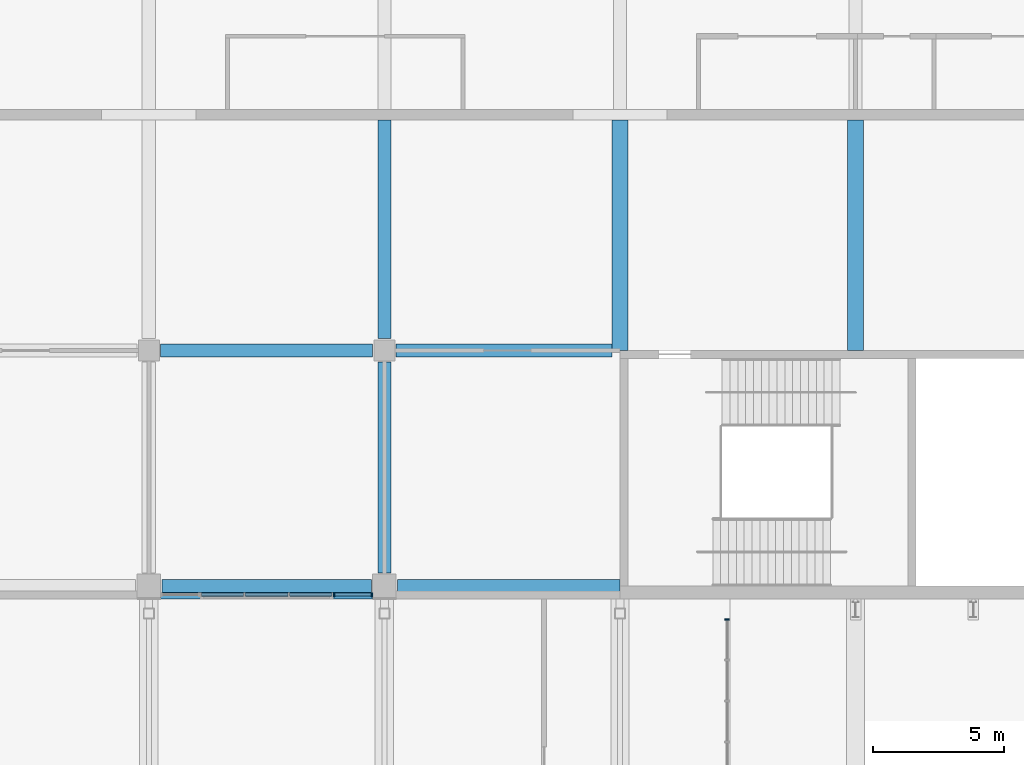
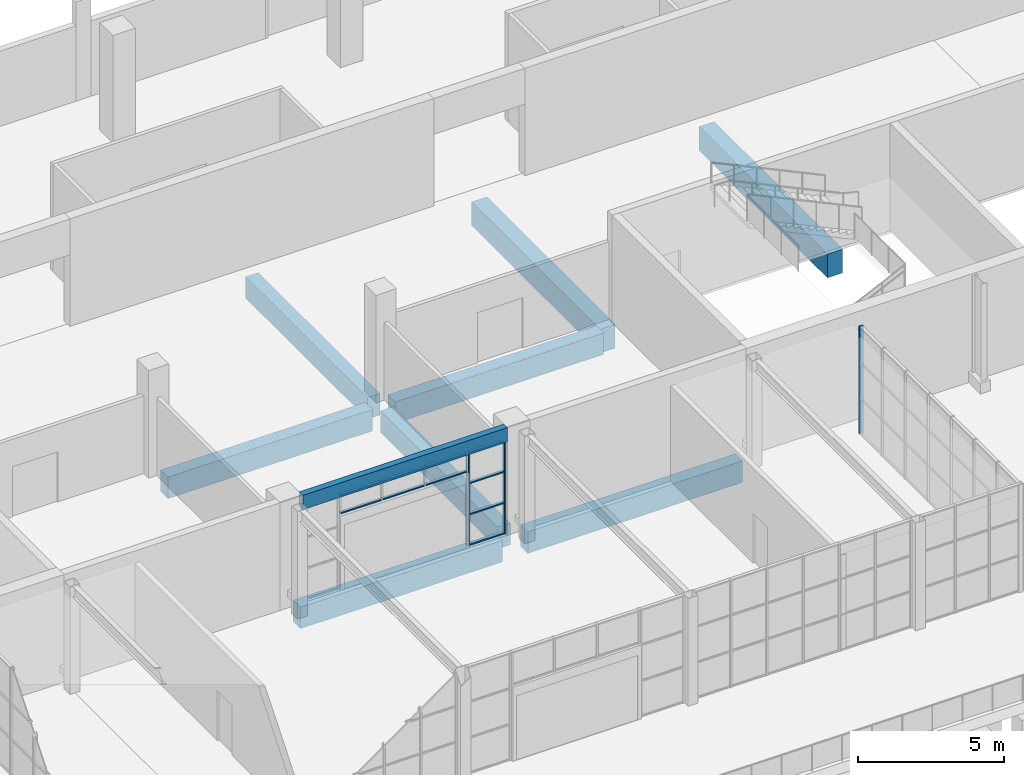
# One storey, part 45 of 168: 13 members, 9 beams, 3 elements without a shape of their own.
"""IFC4 building model written with IfcOpenShell, lengths in metres."""

import ifcopenshell
import ifcopenshell.guid

model = None  # the IFC model being written
_history = None  # IfcOwnerHistory: only IFC2X3 demands one
_inside = {}  # id of a spatial element -> (the spatial element, [elements in it])
_under = {}  # id of a project, library or spatial element -> (it, [spatial elements below it])
_declared = {}  # id of a project -> (the project, [libraries it declares])
_typed = {}  # id of a type object -> (the type object, [elements of that type])
_made_of = {}  # id of a material, layer set ... -> (it, [elements and type objects made of it])


def new_model(schema):
    """Start an empty IFC model of exactly this schema.

    Asked for "IFC4X3", IfcOpenShell would pick the latest addendum, in which some entities
    have other attributes; the version numbers below select the first issue.
    IFC2X3 requires an IfcOwnerHistory on every rooted entity: one is made here for all.
    """
    global model, _history
    if schema == "IFC4X3":
        model = ifcopenshell.file(schema_version=(4, 3, 0, 0))
    else:
        model = ifcopenshell.file(schema=schema)
    _inside.clear()
    _under.clear()
    _declared.clear()
    _typed.clear()
    _made_of.clear()
    _history = None
    if model.schema == "IFC2X3":
        org = make("IfcOrganization", Name="unknown")
        user = make(
            "IfcPersonAndOrganization",
            ThePerson=make("IfcPerson", FamilyName="unknown"),
            TheOrganization=org,
        )
        app = make(
            "IfcApplication",
            ApplicationDeveloper=org,
            Version="unknown",
            ApplicationFullName="unknown",
            ApplicationIdentifier="unknown",
        )
        _history = make(
            "IfcOwnerHistory",
            OwningUser=user,
            OwningApplication=app,
            ChangeAction="ADDED",
            CreationDate=0,
        )
    return model


def make(cls, **values):
    """One entity of the class cls with the attributes given. An attribute that is None is left unset."""
    return model.create_entity(
        cls, **{name: value for name, value in values.items() if value is not None}
    )


def rooted(cls, **values):
    """An entity with a GlobalId (a new one), such as an element, a storey or a relation."""
    return make(cls, GlobalId=ifcopenshell.guid.new(), OwnerHistory=_history, **values)


def si_unit(unit_type, name, prefix=None):
    """IfcSIUnit, for example si_unit("LENGTHUNIT", "METRE", prefix="MILLI")."""
    return make("IfcSIUnit", UnitType=unit_type, Prefix=prefix, Name=name)


def assignment(units):
    """IfcUnitAssignment: the units of a project."""
    return None if units is None else make("IfcUnitAssignment", Units=units)


def point(xyz):
    """IfcCartesianPoint."""
    return None if xyz is None else make("IfcCartesianPoint", Coordinates=xyz)


def direction(xyz):
    """IfcDirection."""
    return None if xyz is None else make("IfcDirection", DirectionRatios=xyz)


def frame(location, z_axis=None, x_axis=None):
    """IfcAxis2Placement3D, a coordinate frame: its origin and axes. An axis left out is left unset."""
    return make(
        "IfcAxis2Placement3D",
        Location=point(location),
        Axis=direction(z_axis),
        RefDirection=direction(x_axis),
    )


def frame_2d(location, x_axis=None):
    """IfcAxis2Placement2D, a coordinate frame in the plane: its origin and x axis."""
    return make(
        "IfcAxis2Placement2D", Location=point(location), RefDirection=direction(x_axis)
    )


def origin():
    """The frame at (0, 0, 0) with its axes left unset."""
    return frame((0.0, 0.0, 0.0))


def origin_2d():
    """The frame at (0, 0) in the plane with its x axis left unset."""
    return frame_2d((0.0, 0.0))


def place(relative_to, where):
    """IfcLocalPlacement: puts the frame where relative to a parent placement (None: the world)."""
    return make(
        "IfcLocalPlacement", PlacementRelTo=relative_to, RelativePlacement=where
    )


def context(
    kind, dimensions, precision=None, world=None, true_north=None, identifier=None
):
    """IfcGeometricRepresentationContext, for example the 3D "Model" context."""
    return make(
        "IfcGeometricRepresentationContext",
        ContextIdentifier=identifier,
        ContextType=kind,
        CoordinateSpaceDimension=dimensions,
        Precision=precision,
        WorldCoordinateSystem=world,
        TrueNorth=true_north,
    )


def subcontext(parent, identifier, kind, view, scale=None):
    """IfcGeometricRepresentationSubContext, for example "Body" below "Model"."""
    return make(
        "IfcGeometricRepresentationSubContext",
        ContextIdentifier=identifier,
        ContextType=kind,
        ParentContext=parent,
        TargetScale=scale,
        TargetView=view,
    )


def project(units=None, contexts=None):
    """IfcProject with its units and contexts."""
    return rooted(
        "IfcProject",
        Name="project",
        RepresentationContexts=contexts,
        UnitsInContext=assignment(units),
    )


def spatial(cls, under=None, at=None, **own):
    """A site, building, storey or space (cls), placed at a placement, below another one or the project."""
    s = rooted(cls, ObjectPlacement=at, **own)
    if under is not None:
        _under.setdefault(under.id(), (under, []))[1].append(s)
    return s


def profile(cls, at=None, kind="AREA", **sizes):
    """A parametric profile (cls). Its sizes go by their IFC names, for example OverallWidth=200.0."""
    return make(cls, ProfileType=kind, Position=at, **sizes)


def rectangle(**sizes):
    """IfcRectangleProfileDef."""
    return profile("IfcRectangleProfileDef", **sizes)


def extrude(swept, where, along, depth):
    """IfcExtrudedAreaSolid: the profile swept, set in the frame where, extruded along a direction by depth."""
    return make(
        "IfcExtrudedAreaSolid",
        SweptArea=swept,
        Position=where,
        ExtrudedDirection=direction(along),
        Depth=depth,
    )


def shape(context_of_items, identifier, shape_type, items):
    """IfcShapeRepresentation: the items that make up one representation, for example the "Body"."""
    return make(
        "IfcShapeRepresentation",
        ContextOfItems=context_of_items,
        RepresentationIdentifier=identifier,
        RepresentationType=shape_type,
        Items=items,
    )


def material(Name=None, Category=None):
    """IfcMaterial."""
    return make("IfcMaterial", Name=Name, Category=Category)


def material_profile(
    of_material, cross_section, Name=None, Category=None, Priority=None
):
    """IfcMaterialProfile: a cross section and its material."""
    return make(
        "IfcMaterialProfile",
        Name=Name,
        Material=of_material,
        Profile=cross_section,
        Priority=Priority,
        Category=Category,
    )


def profile_set(profiles, Name=None, composite=None):
    """IfcMaterialProfileSet."""
    return make(
        "IfcMaterialProfileSet",
        Name=Name,
        MaterialProfiles=profiles,
        CompositeProfile=composite,
    )


def made_of(thing, what):
    """Note that an element or type object is made of a material, layer set ...; save() writes the relation."""
    if what is not None:
        _made_of.setdefault(what.id(), (what, []))[1].append(thing)
    return thing


def type_object(cls, material=None, **own):
    """A type object (cls), such as IfcWallType, which elements share."""
    return made_of(rooted(cls, **own), material)


def element(
    cls,
    number,
    at=None,
    inside=None,
    cuts=None,
    type_object=None,
    material=None,
    context=None,
    identifier="Body",
    shape_type=None,
    held_by="IfcProductDefinitionShape",
    body=None,
    shapes=None,
    **own,
):
    """One element of the class cls, such as IfcWall. Its Tag is "e" and its number.

    at: its placement. inside: the storey or other place that contains it. cuts: it is an
    opening in that element (IfcRelVoidsElement). A single representation is given by context,
    identifier, shape_type and body (its items); several are given by shapes. held_by: the class
    of the entity that holds the representations. save() writes the other relations.
    """
    e = rooted(cls, Tag="e%d" % number, ObjectPlacement=at, **own)
    if body is not None:
        shapes = [shape(context, identifier, shape_type, body)]
    if shapes is not None:
        e.Representation = make(held_by, Representations=shapes)
    if inside is not None:
        _inside.setdefault(inside.id(), (inside, []))[1].append(e)
    if cuts is not None:
        rooted(
            "IfcRelVoidsElement", RelatingBuildingElement=cuts, RelatedOpeningElement=e
        )
    if type_object is not None:
        _typed.setdefault(type_object.id(), (type_object, []))[1].append(e)
    return made_of(e, material)


def aggregate(whole, parts):
    """IfcRelAggregates: a whole, such as a stair, and the parts it consists of."""
    return rooted("IfcRelAggregates", RelatingObject=whole, RelatedObjects=parts)


def save(model, path):
    """Write the relations noted so far, then the file.

    IfcRelAggregates (storeys below a building ...), IfcRelContainedInSpatialStructure (elements
    in a storey), IfcRelDefinesByType, IfcRelAssociatesMaterial and IfcRelDeclares: one each for
    every whole, place, type object, material and project.
    """
    for whole, parts in _under.values():
        aggregate(whole, parts)
    for where, things in _inside.values():
        rooted(
            "IfcRelContainedInSpatialStructure",
            RelatedElements=things,
            RelatingStructure=where,
        )
    for kind, things in _typed.values():
        rooted("IfcRelDefinesByType", RelatedObjects=things, RelatingType=kind)
    for what, things in _made_of.values():
        rooted("IfcRelAssociatesMaterial", RelatedObjects=things, RelatingMaterial=what)
    for by, libraries in _declared.values():
        rooted("IfcRelDeclares", RelatingContext=by, RelatedDefinitions=libraries)
    model.write(path)


model = new_model("IFC4")

# Units and contexts
model_context = context("Model", 3, precision=1e-05, world=origin(), true_north=direction((0.0, 1.0)))
body_context = subcontext(model_context, "Body", "Model", "MODEL_VIEW")
ifc_project = project(units=[si_unit("LENGTHUNIT", "METRE"), si_unit("AREAUNIT", "SQUARE_METRE"), si_unit("VOLUMEUNIT", "CUBIC_METRE"), si_unit("PLANEANGLEUNIT", "RADIAN"), si_unit("MASSUNIT", "GRAM", prefix="KILO")], contexts=[model_context])

# Site, building, storey
site_placement = place(None, origin())
site = spatial("IfcSite", under=ifc_project, at=site_placement, CompositionType="ELEMENT")
building_placement = place(site_placement, origin())
building = spatial("IfcBuilding", under=site, at=building_placement, Name="Silverbay Arena", CompositionType="ELEMENT")
storey_placement = place(building_placement, frame((0.0, 0.0, 7.0)))
storey = spatial("IfcBuildingStorey", under=building, at=storey_placement, Name="L01", CompositionType="ELEMENT", Elevation=7.0)

# Curtain wall, members
ifc_material_1 = material(Name="Aluminium framed curtain wall", Category="aluminium")
curtain_wall_type_1 = type_object("IfcCurtainWallType", Name="Curtain wall 1500 x 3900", PredefinedType="NOTDEFINED", material=ifc_material_1)
curtain_wall_1_placement = place(storey_placement, origin())
curtain_wall_1 = element("IfcCurtainWall", 1, at=curtain_wall_1_placement, inside=storey, type_object=curtain_wall_type_1, Name="South curtain wall L01 bay 12", PredefinedType="NOTDEFINED")
ifc_material_2 = material(Name="Aluminium", Category="aluminium")
ifc_material_profile_1 = material_profile(ifc_material_2, rectangle(XDim=0.159912109375, YDim=0.06005859375, at=origin_2d()), Name="Mullion 60 x 160")
ifc_profile_set_1 = profile_set([ifc_material_profile_1], Name="Aluminium")
member_type_1 = type_object("IfcMemberType", Name="Mullion 60 x 160", PredefinedType="MULLION", material=ifc_profile_set_1)
member_1_placement = place(storey_placement, frame((133.080078125, 17.669921875, 0.0), z_axis=(0.0, 0.0, 1.0), x_axis=(0.0, 1.0, 0.0)))
member_1 = element("IfcMember", 2, at=member_1_placement, type_object=member_type_1, Name="CW4 mullion 1", PredefinedType="MULLION", context=body_context, shape_type="SweptSolid", body=[
    extrude(rectangle(XDim=0.159912109375, YDim=0.06005859375, at=origin_2d()), origin(), (0.0, 0.0, 1.0), 3.89990234375),
])
member_2_placement = place(storey_placement, frame((134.52001953125, 17.669921875, 0.0), z_axis=(0.0, 0.0, 1.0), x_axis=(0.0, 1.0, 0.0)))
member_2 = element("IfcMember", 3, at=member_2_placement, type_object=member_type_1, Name="CW4 mullion 2", PredefinedType="MULLION", context=body_context, shape_type="SweptSolid", body=[
    extrude(rectangle(XDim=0.159912109375, YDim=0.06005859375, at=origin_2d()), origin(), (0.0, 0.0, 1.0), 3.89990234375),
])

# Curtain wall, member
ifc_material_3 = material(Name="Aluminium framed curtain wall", Category="aluminium")
curtain_wall_type_2 = type_object("IfcCurtainWallType", Name="Curtain wall 11000 x 4500", PredefinedType="NOTDEFINED", material=ifc_material_3)
curtain_wall_2_placement = place(storey_placement, origin())
curtain_wall_2 = element("IfcCurtainWall", 4, at=curtain_wall_2_placement, inside=storey, type_object=curtain_wall_type_2, Name="South entrance hall S1 glazing SB", PredefinedType="NOTDEFINED")
member_3_placement = place(storey_placement, frame((148.090087890625, 16.719970703125, 0.0), z_axis=(0.0, 0.0, 1.0), x_axis=(-1.0, 0.0, 0.0)))
member_3 = element("IfcMember", 5, at=member_3_placement, type_object=member_type_1, Name="CW36 mullion 8", PredefinedType="MULLION", context=body_context, shape_type="SweptSolid", body=[
    extrude(rectangle(XDim=0.159912109375, YDim=0.06005859375, at=origin_2d()), origin(), (0.0, 0.0, 1.0), 4.5),
])
aggregate(curtain_wall_2, [member_3])

# Beams
ifc_material_4 = material(Name="Concrete Grade C45", Category="concrete")
ifc_material_profile_2 = material_profile(ifc_material_4, rectangle(XDim=0.5, YDim=0.89990234375, at=origin_2d()), Name="RC 500x900")
ifc_profile_set_2 = profile_set([ifc_material_profile_2], Name="Concrete Grade C45")
beam_type_1 = type_object("IfcBeamType", Name="RC beam 500x900", PredefinedType="BEAM", material=ifc_profile_set_2)
beam_1_placement = place(storey_placement, frame((126.5, 18.0, -0.800048828125), z_axis=(1.0, 0.0, 0.0), x_axis=(0.0, 1.0, 0.0)))
element("IfcBeam", 6, at=beam_1_placement, inside=storey, type_object=beam_type_1, Name="Floor beam L01 005", PredefinedType="BEAM", context=body_context, shape_type="SweptSolid", body=[
    extrude(rectangle(XDim=0.5, YDim=0.89990234375, at=origin_2d()), origin(), (0.0, 0.0, 1.0), 8.0),
])
beam_2_placement = place(storey_placement, frame((135.5, 18.0, -0.800048828125), z_axis=(1.0, 0.0, 0.0), x_axis=(0.0, 1.0, 0.0)))
element("IfcBeam", 7, at=beam_2_placement, inside=storey, type_object=beam_type_1, Name="Floor beam L01 006", PredefinedType="BEAM", context=body_context, shape_type="SweptSolid", body=[
    extrude(rectangle(XDim=0.5, YDim=0.89990234375, at=origin_2d()), origin(), (0.0, 0.0, 1.0), 8.5),
])
beam_3_placement = place(storey_placement, frame((126.449951171875, 27.0, -0.800048828125), z_axis=(1.0, 0.0, 0.0), x_axis=(0.0, 1.0, 0.0)))
element("IfcBeam", 8, at=beam_3_placement, inside=storey, type_object=beam_type_1, Name="Floor beam L01 014", PredefinedType="BEAM", context=body_context, shape_type="SweptSolid", body=[
    extrude(rectangle(XDim=0.5, YDim=0.89990234375, at=origin_2d()), origin(), (0.0, 0.0, 1.0), 8.10009765625),
])
beam_4_placement = place(storey_placement, frame((135.449951171875, 27.0, -0.800048828125), z_axis=(1.0, 0.0, 0.0), x_axis=(0.0, 1.0, 0.0)))
element("IfcBeam", 9, at=beam_4_placement, inside=storey, type_object=beam_type_1, Name="Floor beam L01 015", PredefinedType="BEAM", context=body_context, shape_type="SweptSolid", body=[
    extrude(rectangle(XDim=0.5, YDim=0.89990234375, at=origin_2d()), origin(), (0.0, 0.0, 1.0), 8.25),
])
beam_5_placement = place(storey_placement, frame((135.0, 18.5, -0.800048828125), z_axis=(0.0, 1.0, 0.0), x_axis=(-1.0, 0.0, 0.0)))
element("IfcBeam", 10, at=beam_5_placement, inside=storey, type_object=beam_type_1, Name="Floor beam L01 273", PredefinedType="BEAM", context=body_context, shape_type="SweptSolid", body=[
    extrude(rectangle(XDim=0.5, YDim=0.89990234375, at=origin_2d()), origin(), (0.0, 0.0, 1.0), 8.050048828125),
])
beam_6_placement = place(storey_placement, frame((135.0, 27.449951171875, -0.800048828125), z_axis=(0.0, 1.0, 0.0), x_axis=(-1.0, 0.0, 0.0)))
element("IfcBeam", 11, at=beam_6_placement, inside=storey, type_object=beam_type_1, Name="Floor beam L01 274", PredefinedType="BEAM", context=body_context, shape_type="SweptSolid", body=[
    extrude(rectangle(XDim=0.5, YDim=0.89990234375, at=origin_2d()), origin(), (0.0, 0.0, 1.0), 8.35009765625),
])
ifc_material_5 = material(Name="Concrete Grade C45", Category="concrete")
ifc_material_profile_3 = material_profile(ifc_material_5, rectangle(XDim=0.60009765625, YDim=1.0, at=origin_2d()), Name="RC 600x1000")
ifc_profile_set_3 = profile_set([ifc_material_profile_3], Name="Concrete Grade C45")
beam_type_2 = type_object("IfcBeamType", Name="RC beam 600x1000", PredefinedType="BEAM", material=ifc_profile_set_3)
for number, where, z_axis, x_axis, name in (
    (12, (144.0, 27.0, -0.85009765625), (0.0, 1.0, 0.0), (-1.0, 0.0, 0.0), "Floor beam L01 281"),
    (13, (153.0, 27.0, -0.85009765625), (0.0, 1.0, 0.0), (-1.0, 0.0, 0.0), "Floor beam L01 287"),
):
    element("IfcBeam", number, at=place(storey_placement, frame(where, z_axis=z_axis, x_axis=x_axis)), inside=storey, type_object=beam_type_2, Name=name, PredefinedType="BEAM", context=body_context, shape_type="SweptSolid", body=[
        extrude(rectangle(XDim=0.60009765625, YDim=1.0, at=origin_2d()), origin(), (0.0, 0.0, 1.0), 8.800048828125),
    ])
ifc_material_6 = material(Name="Concrete Grade C45", Category="concrete")
ifc_material_profile_4 = material_profile(ifc_material_6, rectangle(XDim=0.25, YDim=0.60009765625, at=origin_2d()), Name="RC 250x600")
ifc_profile_set_4 = profile_set([ifc_material_profile_4], Name="Concrete Grade C45")
beam_type_3 = type_object("IfcBeamType", Name="RC facade beam 250x600", PredefinedType="SPANDREL", material=ifc_profile_set_4)
beam_7_placement = place(storey_placement, frame((126.449951171875, 17.625, 4.199951171875), z_axis=(1.0, 0.0, 0.0), x_axis=(0.0, 1.0, 0.0)))
element("IfcBeam", 14, at=beam_7_placement, inside=storey, type_object=beam_type_3, Name="Facade beam L01 south", PredefinedType="SPANDREL", context=body_context, shape_type="SweptSolid", body=[
    extrude(rectangle(XDim=0.25, YDim=0.60009765625, at=origin_2d()), origin(), (0.0, 0.0, 1.0), 8.10009765625),
])

# Member
ifc_material_7 = material(Name="Aluminium", Category="aluminium")
ifc_material_profile_5 = material_profile(ifc_material_7, rectangle(XDim=0.1201171875, YDim=0.050048828125, at=origin_2d()), Name="Transom 50 x 120")
ifc_profile_set_5 = profile_set([ifc_material_profile_5], Name="Aluminium")
member_type_2 = type_object("IfcMemberType", Name="Transom 50 x 120", PredefinedType="USERDEFINED", material=ifc_profile_set_5)
member_4_placement = place(storey_placement, frame((133.110107421875, 17.669921875, 0.02490234375), z_axis=(1.0, 0.0, 0.0), x_axis=(0.0, 1.0, 0.0)))
member_4 = element("IfcMember", 15, at=member_4_placement, type_object=member_type_2, Name="CW4 transom 1.1", ObjectType="TRANSOM", PredefinedType="USERDEFINED", context=body_context, shape_type="SweptSolid", body=[
    extrude(rectangle(XDim=0.1201171875, YDim=0.050048828125, at=origin_2d()), origin(), (0.0, 0.0, 1.0), 1.3798828125),
])

member_5_placement = place(storey_placement, frame((133.110107421875, 17.669921875, 1.300048828125), z_axis=(1.0, 0.0, 0.0), x_axis=(0.0, 1.0, 0.0)))
member_5 = element("IfcMember", 16, at=member_5_placement, type_object=member_type_2, Name="CW4 transom 1.2", ObjectType="TRANSOM", PredefinedType="USERDEFINED", context=body_context, shape_type="SweptSolid", body=[
    extrude(rectangle(XDim=0.1201171875, YDim=0.050048828125, at=origin_2d()), origin(), (0.0, 0.0, 1.0), 1.3798828125),
])

member_6_placement = place(storey_placement, frame((133.110107421875, 17.669921875, 2.60009765625), z_axis=(1.0, 0.0, 0.0), x_axis=(0.0, 1.0, 0.0)))
member_6 = element("IfcMember", 17, at=member_6_placement, type_object=member_type_2, Name="CW4 transom 1.3", ObjectType="TRANSOM", PredefinedType="USERDEFINED", context=body_context, shape_type="SweptSolid", body=[
    extrude(rectangle(XDim=0.1201171875, YDim=0.050048828125, at=origin_2d()), origin(), (0.0, 0.0, 1.0), 1.3798828125),
])

member_7_placement = place(storey_placement, frame((133.110107421875, 17.669921875, 3.875), z_axis=(1.0, 0.0, 0.0), x_axis=(0.0, 1.0, 0.0)))
member_7 = element("IfcMember", 18, at=member_7_placement, type_object=member_type_2, Name="CW4 transom 1.4", ObjectType="TRANSOM", PredefinedType="USERDEFINED", context=body_context, shape_type="SweptSolid", body=[
    extrude(rectangle(XDim=0.1201171875, YDim=0.050048828125, at=origin_2d()), origin(), (0.0, 0.0, 1.0), 1.3798828125),
])

aggregate(curtain_wall_1, [member_1, member_2, member_4, member_5, member_6, member_7])

# Curtain wall, members
ifc_material_8 = material(Name="Aluminium framed curtain wall", Category="aluminium")
curtain_wall_type_3 = type_object("IfcCurtainWallType", Name="Curtain wall 5100 x 800", PredefinedType="NOTDEFINED", material=ifc_material_8)
curtain_wall_3_placement = place(storey_placement, origin())
curtain_wall_3 = element("IfcCurtainWall", 19, at=curtain_wall_3_placement, inside=storey, type_object=curtain_wall_type_3, Name="South curtain wall L01 bay 12", PredefinedType="NOTDEFINED")
member_8_placement = place(storey_placement, frame((128.010009765625, 17.669921875, 3.125), z_axis=(1.0, 0.0, 0.0), x_axis=(0.0, 1.0, 0.0)))
member_8 = element("IfcMember", 20, at=member_8_placement, type_object=member_type_2, Name="CW3 transom 1.1", ObjectType="TRANSOM", PredefinedType="USERDEFINED", context=body_context, shape_type="SweptSolid", body=[
    extrude(rectangle(XDim=0.1201171875, YDim=0.050048828125, at=origin_2d()), origin(), (0.0, 0.0, 1.0), 1.610107421875),
])
member_9_placement = place(storey_placement, frame((128.010009765625, 17.669921875, 3.875), z_axis=(1.0, 0.0, 0.0), x_axis=(0.0, 1.0, 0.0)))
member_9 = element("IfcMember", 21, at=member_9_placement, type_object=member_type_2, Name="CW3 transom 1.2", ObjectType="TRANSOM", PredefinedType="USERDEFINED", context=body_context, shape_type="SweptSolid", body=[
    extrude(rectangle(XDim=0.1201171875, YDim=0.050048828125, at=origin_2d()), origin(), (0.0, 0.0, 1.0), 1.610107421875),
])
member_10_placement = place(storey_placement, frame((129.679931640625, 17.669921875, 3.125), z_axis=(1.0, 0.0, 0.0), x_axis=(0.0, 1.0, 0.0)))
member_10 = element("IfcMember", 22, at=member_10_placement, type_object=member_type_2, Name="CW3 transom 2.1", ObjectType="TRANSOM", PredefinedType="USERDEFINED", context=body_context, shape_type="SweptSolid", body=[
    extrude(rectangle(XDim=0.1201171875, YDim=0.050048828125, at=origin_2d()), origin(), (0.0, 0.0, 1.0), 1.64013671875),
])
member_11_placement = place(storey_placement, frame((129.679931640625, 17.669921875, 3.875), z_axis=(1.0, 0.0, 0.0), x_axis=(0.0, 1.0, 0.0)))
member_11 = element("IfcMember", 23, at=member_11_placement, type_object=member_type_2, Name="CW3 transom 2.2", ObjectType="TRANSOM", PredefinedType="USERDEFINED", context=body_context, shape_type="SweptSolid", body=[
    extrude(rectangle(XDim=0.1201171875, YDim=0.050048828125, at=origin_2d()), origin(), (0.0, 0.0, 1.0), 1.64013671875),
])
member_12_placement = place(storey_placement, frame((131.3798828125, 17.669921875, 3.125), z_axis=(1.0, 0.0, 0.0), x_axis=(0.0, 1.0, 0.0)))
member_12 = element("IfcMember", 24, at=member_12_placement, type_object=member_type_2, Name="CW3 transom 3.1", ObjectType="TRANSOM", PredefinedType="USERDEFINED", context=body_context, shape_type="SweptSolid", body=[
    extrude(rectangle(XDim=0.1201171875, YDim=0.050048828125, at=origin_2d()), origin(), (0.0, 0.0, 1.0), 1.610107421875),
])
member_13_placement = place(storey_placement, frame((131.3798828125, 17.669921875, 3.875), z_axis=(1.0, 0.0, 0.0), x_axis=(0.0, 1.0, 0.0)))
member_13 = element("IfcMember", 25, at=member_13_placement, type_object=member_type_2, Name="CW3 transom 3.2", ObjectType="TRANSOM", PredefinedType="USERDEFINED", context=body_context, shape_type="SweptSolid", body=[
    extrude(rectangle(XDim=0.1201171875, YDim=0.050048828125, at=origin_2d()), origin(), (0.0, 0.0, 1.0), 1.610107421875),
])
aggregate(curtain_wall_3, [member_8, member_9, member_10, member_11, member_12, member_13])

save(model, "model.ifc")
